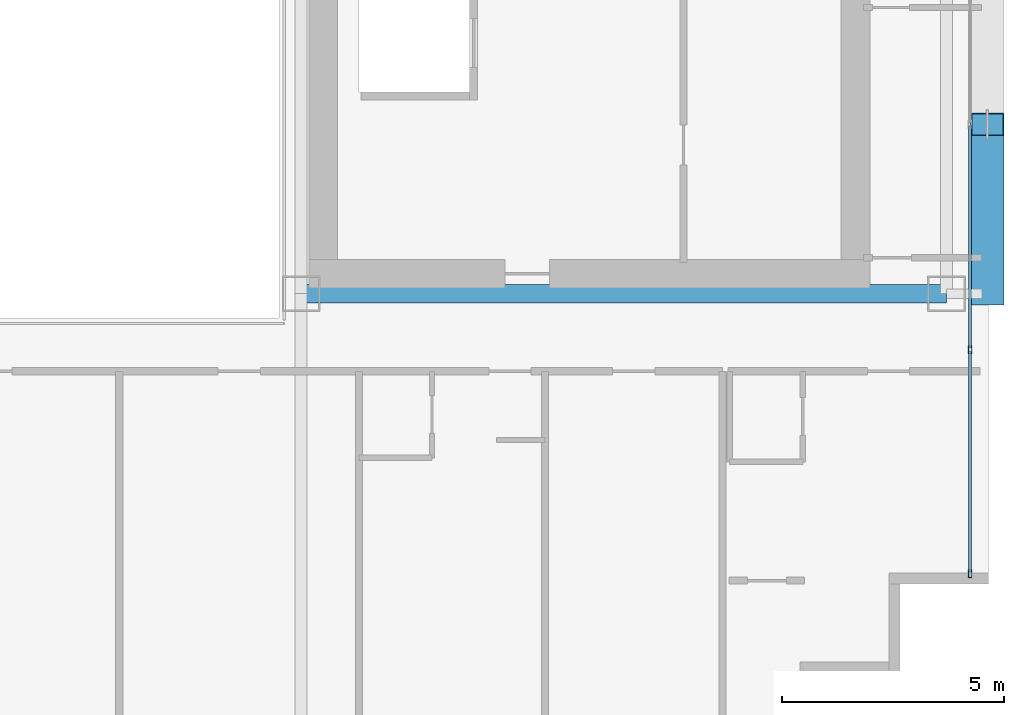
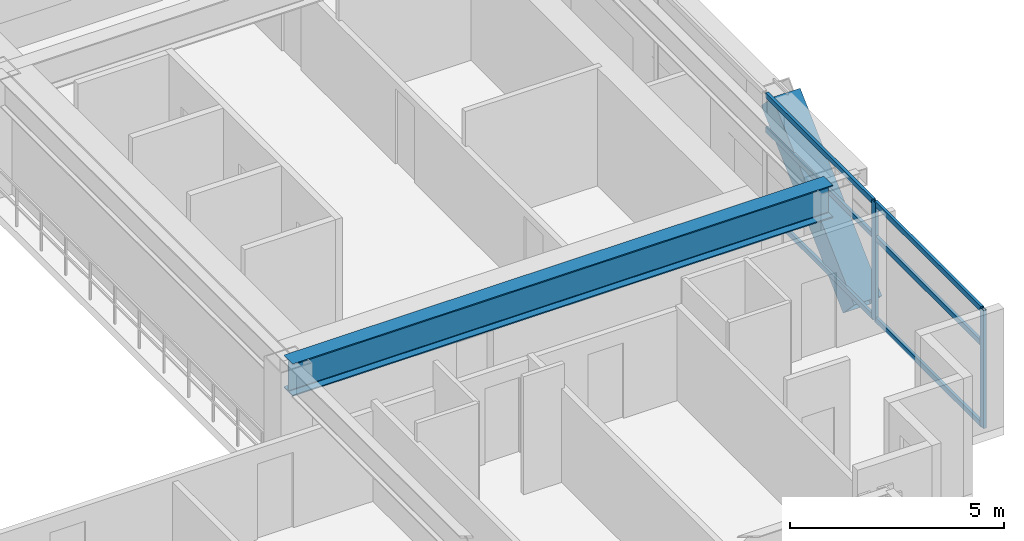
# One storey, part 11 of 35: 9 members, 1 beam, 1 element without a shape of its own.
"""IFC4 building model written with IfcOpenShell, lengths in metres."""

from ifc_helpers import new_model, si_unit, direction, frame, origin, origin_2d, place, context, subcontext, project, spatial, hollow_rectangle, i_section, extrude, source, transform, mapped, material, layer, layer_set, material_profile, profile_set, type_object, element, aggregate, save


model = new_model("IFC4")

# Units and contexts
model_context = context("Model", 3, precision=1e-05, world=origin(), true_north=direction((0.0, 1.0)))
body_context = subcontext(model_context, "Body", "Model", "MODEL_VIEW")
ifc_project = project(units=[si_unit("LENGTHUNIT", "METRE"), si_unit("AREAUNIT", "SQUARE_METRE"), si_unit("VOLUMEUNIT", "CUBIC_METRE"), si_unit("PLANEANGLEUNIT", "RADIAN"), si_unit("MASSUNIT", "GRAM", prefix="KILO")], contexts=[model_context])

# Site, building, storey
site_placement = place(None, origin())
site = spatial("IfcSite", under=ifc_project, at=site_placement, CompositionType="ELEMENT")
building_placement = place(site_placement, origin())
building = spatial("IfcBuilding", under=site, at=building_placement, Name="Ocotamira Hotel", CompositionType="ELEMENT")
storey_placement = place(building_placement, frame((0.0, 0.0, 118.800048828125)))
storey = spatial("IfcBuildingStorey", under=building, at=storey_placement, Name="L29", CompositionType="ELEMENT", Elevation=118.800048828125)

# Beam
ifc_material_1 = material(Name="Steel ASTM A992 Grade 50", Category="steel")
ifc_material_profile_1 = material_profile(ifc_material_1, i_section(OverallWidth=0.41796875, OverallDepth=0.927001953125, WebThickness=0.019287109375, FlangeThickness=0.031982421875, FilletRadius=0.02392578125, at=origin_2d()), Name="W36X231")
ifc_profile_set_1 = profile_set([ifc_material_profile_1], Name="Steel ASTM A992 Grade 50")
beam_type = type_object("IfcBeamType", Name="BM-GIRD-W36X231", PredefinedType="BEAM", material=ifc_profile_set_1)
shared_shape_1 = source(origin(), body_context, "Body", "SweptSolid", [
    extrude(i_section(OverallWidth=0.41796875, OverallDepth=0.927001953125, WebThickness=0.019287109375, FlangeThickness=0.031982421875, FilletRadius=0.02392578125, at=origin_2d()), origin(), (0.0, 0.0, 1.0), 14.550048828125),
])
beam_placement = place(storey_placement, frame((40.5, 14.550048828125, 2.896484375), z_axis=(1.0, 0.0, 0.0), x_axis=(0.0, 1.0, 0.0)))
element("IfcBeam", 1, at=beam_placement, inside=storey, type_object=beam_type, Name="L29 Girder Y14.55 X40.5-55.05", PredefinedType="BEAM", context=body_context, shape_type="MappedRepresentation", body=[
    mapped(shared_shape_1, transform((0.0, 0.0, 0.0), scale=1.0)),
])

# Member
ifc_material_2 = material(Name="Pale-metal coated steel ASTM A913 Grade 65", Category="steel")
ifc_material_profile_2 = material_profile(ifc_material_2, hollow_rectangle(XDim=0.75, YDim=0.75, WallThickness=0.028076171875, at=origin_2d()), Name="BOX750X750X28")
ifc_profile_set_2 = profile_set([ifc_material_profile_2], Name="Pale-metal coated steel ASTM A913 Grade 65")
member_type_1 = type_object("IfcMemberType", Name="MEM-EXO-BOX750", PredefinedType="BRACE", material=ifc_profile_set_2)
shared_shape_2 = source(origin(), body_context, "Body", "SweptSolid", [
    extrude(hollow_rectangle(XDim=0.75, YDim=0.75, WallThickness=0.028076171875, at=origin_2d()), origin(), (0.0, 0.0, 1.0), 5.24658203125),
])
member_1_placement = place(storey_placement, frame((55.969970703125, 14.550048828125, -0.489990234375), z_axis=(0.0, 0.72746596067, 0.686143772154), x_axis=(-1.0, 0.0, 0.0)))
element("IfcMember", 2, at=member_1_placement, inside=storey, type_object=member_type_1, Name="L29 Exoskeleton Diagrid E0.1", PredefinedType="BRACE", context=body_context, shape_type="MappedRepresentation", body=[
    mapped(shared_shape_2, transform((0.0, 0.0, 0.0), scale=1.0)),
])

# Curtain wall, members
ifc_material_3 = material(Name="Anodised pale-metal aluminium and solar glass", Category="aluminium")
ifc_layer = layer(ifc_material_3, 0.179931640625)
ifc_layer_set = layer_set([ifc_layer], Name="Anodised pale-metal aluminium and solar glass")
curtain_wall_type = type_object("IfcCurtainWallType", Name="CW-SYS3-Z2", PredefinedType="NOTDEFINED", material=ifc_layer_set)
curtain_wall_placement = place(storey_placement, origin())
curtain_wall = element("IfcCurtainWall", 3, at=curtain_wall_placement, inside=storey, type_object=curtain_wall_type, Name="L29 Curtain Wall CW-3 CW-L29-E", PredefinedType="NOTDEFINED")
ifc_material_4 = material(Name="Anodised pale-metal aluminium 6063-T6", Category="aluminium")
ifc_material_profile_3 = material_profile(ifc_material_4, hollow_rectangle(XDim=0.074951171875, YDim=0.14990234375, WallThickness=0.006103515625, at=origin_2d()), Name="HSS150X75X6")
ifc_profile_set_3 = profile_set([ifc_material_profile_3], Name="Anodised pale-metal aluminium 6063-T6")
member_type_2 = type_object("IfcMemberType", Name="CWT-150X75", PredefinedType="USERDEFINED", material=ifc_profile_set_3)
shared_shape_3 = source(origin(), body_context, "Body", "SweptSolid", [
    extrude(hollow_rectangle(XDim=0.074951171875, YDim=0.14990234375, WallThickness=0.006103515625, at=origin_2d()), origin(), (0.0, 0.0, 1.0), 4.965576171875),
])
member_2_placement = place(storey_placement, frame((55.580078125, 8.280029296875, 0.037353515625), z_axis=(0.0, 1.0, 0.0), x_axis=(-1.0, 0.0, 0.0)))
member_2 = element("IfcMember", 4, at=member_2_placement, type_object=member_type_2, Name="CW-3 transom 1.1", ObjectType="TRANSOM", PredefinedType="USERDEFINED", context=body_context, shape_type="MappedRepresentation", body=[
    mapped(shared_shape_3, transform((0.0, 0.0, 0.0), scale=1.0)),
])
member_3_placement = place(storey_placement, frame((55.580078125, 8.280029296875, 2.349853515625), z_axis=(0.0, 1.0, 0.0), x_axis=(-1.0, 0.0, 0.0)))
member_3 = element("IfcMember", 5, at=member_3_placement, type_object=member_type_2, Name="CW-3 transom 1.2", ObjectType="TRANSOM", PredefinedType="USERDEFINED", context=body_context, shape_type="MappedRepresentation", body=[
    mapped(shared_shape_3, transform((0.0, 0.0, 0.0), scale=1.0)),
])
member_4_placement = place(storey_placement, frame((55.580078125, 8.280029296875, 3.322509765625), z_axis=(0.0, 1.0, 0.0), x_axis=(-1.0, 0.0, 0.0)))
member_4 = element("IfcMember", 6, at=member_4_placement, type_object=member_type_2, Name="CW-3 transom 1.3", ObjectType="TRANSOM", PredefinedType="USERDEFINED", context=body_context, shape_type="MappedRepresentation", body=[
    mapped(shared_shape_3, transform((0.0, 0.0, 0.0), scale=1.0)),
])
shared_shape_4 = source(origin(), body_context, "Body", "SweptSolid", [
    extrude(hollow_rectangle(XDim=0.074951171875, YDim=0.14990234375, WallThickness=0.006103515625, at=origin_2d()), origin(), (0.0, 0.0, 1.0), 5.005859375),
])
member_5_placement = place(storey_placement, frame((55.580078125, 13.32568359375, 0.037353515625), z_axis=(0.0, 1.0, 0.0), x_axis=(-1.0, 0.0, 0.0)))
member_5 = element("IfcMember", 7, at=member_5_placement, type_object=member_type_2, Name="CW-3 transom 2.1", ObjectType="TRANSOM", PredefinedType="USERDEFINED", context=body_context, shape_type="MappedRepresentation", body=[
    mapped(shared_shape_4, transform((0.0, 0.0, 0.0), scale=1.0)),
])
member_6_placement = place(storey_placement, frame((55.580078125, 13.32568359375, 2.349853515625), z_axis=(0.0, 1.0, 0.0), x_axis=(-1.0, 0.0, 0.0)))
member_6 = element("IfcMember", 8, at=member_6_placement, type_object=member_type_2, Name="CW-3 transom 2.2", ObjectType="TRANSOM", PredefinedType="USERDEFINED", context=body_context, shape_type="MappedRepresentation", body=[
    mapped(shared_shape_4, transform((0.0, 0.0, 0.0), scale=1.0)),
])
member_7_placement = place(storey_placement, frame((55.580078125, 13.32568359375, 3.322509765625), z_axis=(0.0, 1.0, 0.0), x_axis=(-1.0, 0.0, 0.0)))
member_7 = element("IfcMember", 9, at=member_7_placement, type_object=member_type_2, Name="CW-3 transom 2.3", ObjectType="TRANSOM", PredefinedType="USERDEFINED", context=body_context, shape_type="MappedRepresentation", body=[
    mapped(shared_shape_4, transform((0.0, 0.0, 0.0), scale=1.0)),
])
ifc_material_profile_4 = material_profile(ifc_material_4, hollow_rectangle(XDim=0.080078125, YDim=0.179931640625, WallThickness=0.006103515625, at=origin_2d()), Name="HSS180X80X6")
ifc_profile_set_4 = profile_set([ifc_material_profile_4], Name="Anodised pale-metal aluminium 6063-T6")
member_type_3 = type_object("IfcMemberType", Name="CWM-180X75", PredefinedType="MULLION", material=ifc_profile_set_4)
shared_shape_5 = source(origin(), body_context, "Body", "SweptSolid", [
    extrude(hollow_rectangle(XDim=0.080078125, YDim=0.179931640625, WallThickness=0.006103515625, at=origin_2d()), origin(), (0.0, 0.0, 1.0), 3.35986328125),
])
member_8_placement = place(storey_placement, frame((55.580078125, 8.239990234375, 0.0), z_axis=(0.0, 0.0, 1.0), x_axis=(-1.0, 0.0, 0.0)))
member_8 = element("IfcMember", 10, at=member_8_placement, type_object=member_type_3, Name="CW-3 mullion 1", PredefinedType="MULLION", context=body_context, shape_type="MappedRepresentation", body=[
    mapped(shared_shape_5, transform((0.0, 0.0, 0.0), scale=1.0)),
])
member_9_placement = place(storey_placement, frame((55.580078125, 13.28564453125, 0.0), z_axis=(0.0, 0.0, 1.0), x_axis=(-1.0, 0.0, 0.0)))
member_9 = element("IfcMember", 11, at=member_9_placement, type_object=member_type_3, Name="CW-3 mullion 2", PredefinedType="MULLION", context=body_context, shape_type="MappedRepresentation", body=[
    mapped(shared_shape_5, transform((0.0, 0.0, 0.0), scale=1.0)),
])
aggregate(curtain_wall, [member_8, member_9, member_2, member_3, member_4, member_5, member_6, member_7])

save(model, "model.ifc")
